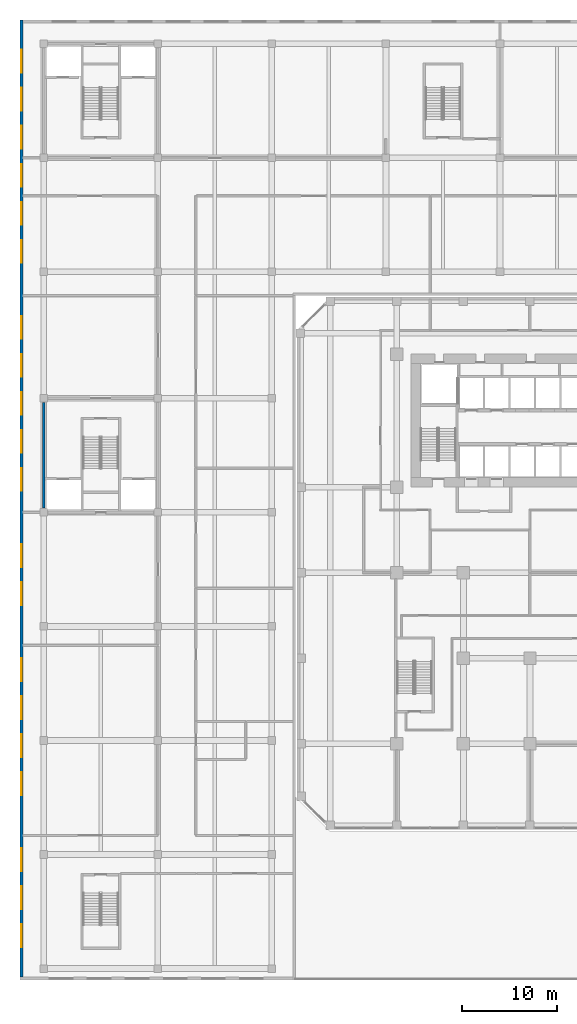
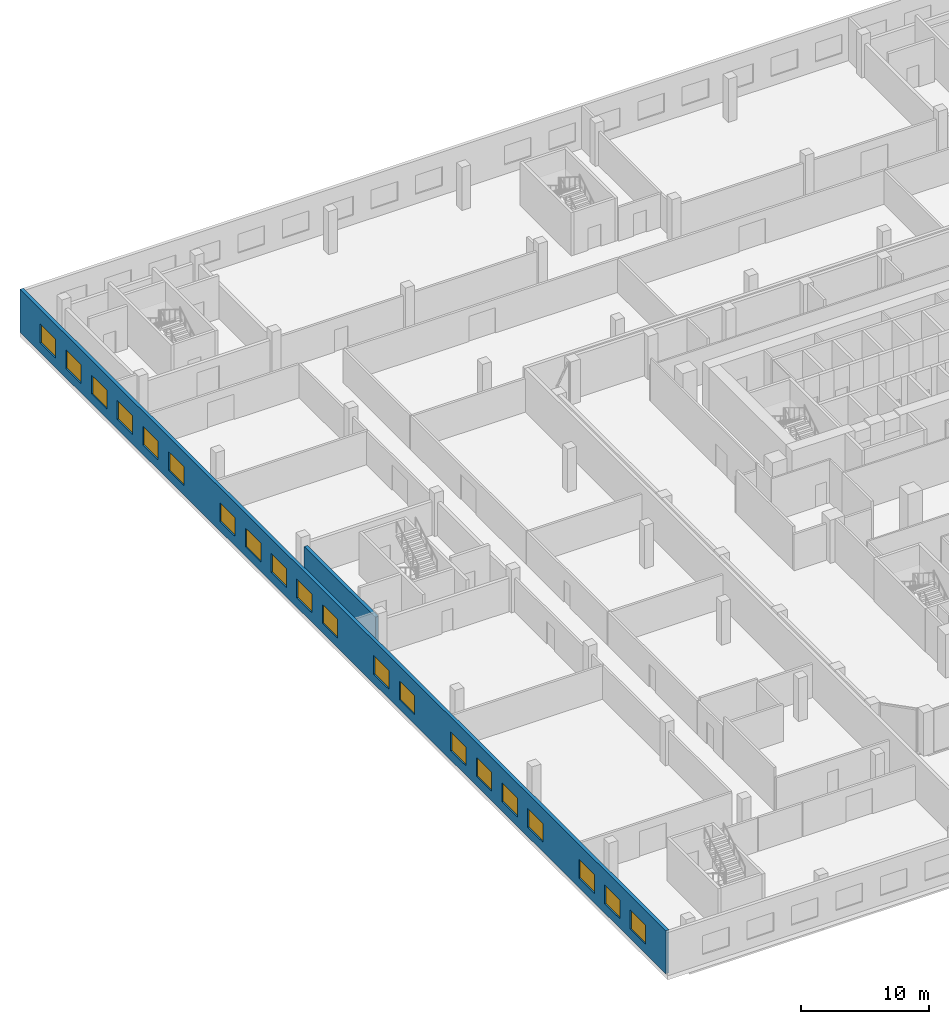
# One storey, part 19 of 38: 20 windows, 2 walls, 20 openings.
"""IFC4 building model written with IfcOpenShell, lengths in metres."""

from ifc_helpers import new_model, si_unit, direction, frame, frame_2d, origin, place, context, subcontext, project, spatial, rectangle, extrude, source, transform, mapped, material, layer, layer_set, type_object, element, fill, save


model = new_model("IFC4")

# Units and contexts
model_context = context("Model", 3, precision=1e-05, world=origin(), true_north=direction((0.0, 1.0)))
body_context = subcontext(model_context, "Body", "Model", "MODEL_VIEW")
ifc_project = project(units=[si_unit("LENGTHUNIT", "METRE"), si_unit("AREAUNIT", "SQUARE_METRE"), si_unit("VOLUMEUNIT", "CUBIC_METRE"), si_unit("PLANEANGLEUNIT", "RADIAN"), si_unit("MASSUNIT", "GRAM", prefix="KILO")], contexts=[model_context])

# Site, building, storey
site_placement = place(None, origin())
site = spatial("IfcSite", under=ifc_project, at=site_placement, CompositionType="ELEMENT")
building_placement = place(site_placement, origin())
building = spatial("IfcBuilding", under=site, at=building_placement, Name="Kilnfold Tower and Market Hall", CompositionType="ELEMENT")
storey_placement = place(building_placement, frame((0.0, 0.0, 9.0)))
storey = spatial("IfcBuildingStorey", under=building, at=storey_placement, Name="L01", CompositionType="ELEMENT", Elevation=9.0)

# Wall
ifc_material_1 = material(Name="Concrete C50/60", Category="concrete")
ifc_layer_1 = layer(ifc_material_1, 0.300048828125)
ifc_layer_set_1 = layer_set([ifc_layer_1], Name="Concrete C50/60")
wall_type_1 = type_object("IfcWallType", Name="HALL CORE WALL 300", PredefinedType="SHEAR", material=ifc_layer_set_1)
shared_shape_1 = source(origin(), body_context, "Body", "SweptSolid", [
    extrude(rectangle(XDim=11.099853515625, YDim=0.300048828125, at=frame_2d((5.5498046875, 0.0))), origin(), (0.0, 0.0, 1.0), 3.199951171875),
])
wall_1_placement = place(storey_placement, frame((-54.64990234375, 5.800048828125, 0.0), z_axis=(0.0, 0.0, 1.0), x_axis=(0.0, 1.0, 0.0)))
element("IfcWall", 1, at=wall_1_placement, inside=storey, type_object=wall_type_1, Name="Core wall MH1", PredefinedType="SHEAR", context=body_context, shape_type="MappedRepresentation", body=[
    mapped(shared_shape_1, transform((0.0, 0.0, 0.0))),
])

# Wall, openings, windows
ifc_material_2 = material(Name="Concrete blockwork", Category="masonry")
ifc_layer_2 = layer(ifc_material_2, 0.300048828125)
ifc_layer_set_2 = layer_set([ifc_layer_2], Name="Concrete blockwork")
wall_type_2 = type_object("IfcWallType", Name="HALL EXTERNAL WALL 300 EI 60", PredefinedType="SOLIDWALL", material=ifc_layer_set_2)
shared_shape_2 = source(origin(), body_context, "Body", "SweptSolid", [
    extrude(rectangle(XDim=100.699951171875, YDim=0.300048828125, at=frame_2d((50.35009765625, 0.0))), origin(), (0.0, 0.0, 1.0), 4.10009765625),
])
wall_2_placement = place(storey_placement, frame((-57.0, -43.550048828125, 0.0), z_axis=(0.0, 0.0, 1.0), x_axis=(0.0, 1.0, 0.0)))
wall_2 = element("IfcWall", 2, at=wall_2_placement, inside=storey, type_object=wall_type_2, Name="External wall MEW-L01.1", PredefinedType="SOLIDWALL", context=body_context, shape_type="MappedRepresentation", body=[
    mapped(shared_shape_2, transform((0.0, 0.0, 0.0))),
])
opening_1_placement = place(wall_2_placement, frame((3.14990234375, 0.0, 0.89990234375)))
opening_1 = element("IfcOpeningElement", 3, at=opening_1_placement, cuts=wall_2, Name="Opening MEN3", PredefinedType="OPENING", context=body_context, shape_type="SweptSolid", body=[
    extrude(rectangle(XDim=2.39990234375, YDim=1.800048828125, at=frame_2d((1.199951171875, 0.89990234375))), frame((0.0, 0.16015625, 0.0), z_axis=(0.0, -1.0, 0.0), x_axis=(1.0, 0.0, 0.0)), (0.0, 0.0, 1.0), 0.320068359375),
])
opening_2_placement = place(wall_2_placement, frame((7.14990234375, 0.0, 0.89990234375)))
opening_2 = element("IfcOpeningElement", 4, at=opening_2_placement, cuts=wall_2, Name="Opening MEN3", PredefinedType="OPENING", context=body_context, shape_type="SweptSolid", body=[
    extrude(rectangle(XDim=2.39990234375, YDim=1.800048828125, at=frame_2d((1.199951171875, 0.89990234375))), frame((0.0, 0.16015625, 0.0), z_axis=(0.0, -1.0, 0.0), x_axis=(1.0, 0.0, 0.0)), (0.0, 0.0, 1.0), 0.320068359375),
])
opening_3_placement = place(wall_2_placement, frame((11.14990234375, 0.0, 0.89990234375)))
opening_3 = element("IfcOpeningElement", 5, at=opening_3_placement, cuts=wall_2, Name="Opening MEN3", PredefinedType="OPENING", context=body_context, shape_type="SweptSolid", body=[
    extrude(rectangle(XDim=2.39990234375, YDim=1.800048828125, at=frame_2d((1.199951171875, 0.89990234375))), frame((0.0, 0.16015625, 0.0), z_axis=(0.0, -1.0, 0.0), x_axis=(1.0, 0.0, 0.0)), (0.0, 0.0, 1.0), 0.320068359375),
])
opening_4_placement = place(wall_2_placement, frame((19.14990234375, 0.0, 0.89990234375)))
opening_4 = element("IfcOpeningElement", 6, at=opening_4_placement, cuts=wall_2, Name="Opening MEN3", PredefinedType="OPENING", context=body_context, shape_type="SweptSolid", body=[
    extrude(rectangle(XDim=2.39990234375, YDim=1.800048828125, at=frame_2d((1.199951171875, 0.89990234375))), frame((0.0, 0.16015625, 0.0), z_axis=(0.0, -1.0, 0.0), x_axis=(1.0, 0.0, 0.0)), (0.0, 0.0, 1.0), 0.320068359375),
])
opening_5_placement = place(wall_2_placement, frame((23.14990234375, 0.0, 0.89990234375)))
opening_5 = element("IfcOpeningElement", 7, at=opening_5_placement, cuts=wall_2, Name="Opening MEN3", PredefinedType="OPENING", context=body_context, shape_type="SweptSolid", body=[
    extrude(rectangle(XDim=2.39990234375, YDim=1.800048828125, at=frame_2d((1.199951171875, 0.89990234375))), frame((0.0, 0.16015625, 0.0), z_axis=(0.0, -1.0, 0.0), x_axis=(1.0, 0.0, 0.0)), (0.0, 0.0, 1.0), 0.320068359375),
])
opening_6_placement = place(wall_2_placement, frame((27.14990234375, 0.0, 0.89990234375)))
opening_6 = element("IfcOpeningElement", 8, at=opening_6_placement, cuts=wall_2, Name="Opening MEN3", PredefinedType="OPENING", context=body_context, shape_type="SweptSolid", body=[
    extrude(rectangle(XDim=2.39990234375, YDim=1.800048828125, at=frame_2d((1.199951171875, 0.89990234375))), frame((0.0, 0.16015625, 0.0), z_axis=(0.0, -1.0, 0.0), x_axis=(1.0, 0.0, 0.0)), (0.0, 0.0, 1.0), 0.320068359375),
])
opening_7_placement = place(wall_2_placement, frame((31.14990234375, 0.0, 0.89990234375)))
opening_7 = element("IfcOpeningElement", 9, at=opening_7_placement, cuts=wall_2, Name="Opening MEN3", PredefinedType="OPENING", context=body_context, shape_type="SweptSolid", body=[
    extrude(rectangle(XDim=2.39990234375, YDim=1.800048828125, at=frame_2d((1.199951171875, 0.89990234375))), frame((0.0, 0.16015625, 0.0), z_axis=(0.0, -1.0, 0.0), x_axis=(1.0, 0.0, 0.0)), (0.0, 0.0, 1.0), 0.320068359375),
])
opening_8_placement = place(wall_2_placement, frame((39.14990234375, 0.0, 0.89990234375)))
opening_8 = element("IfcOpeningElement", 10, at=opening_8_placement, cuts=wall_2, Name="Opening MEN3", PredefinedType="OPENING", context=body_context, shape_type="SweptSolid", body=[
    extrude(rectangle(XDim=2.39990234375, YDim=1.800048828125, at=frame_2d((1.199951171875, 0.89990234375))), frame((0.0, 0.16015625, 0.0), z_axis=(0.0, -1.0, 0.0), x_axis=(1.0, 0.0, 0.0)), (0.0, 0.0, 1.0), 0.320068359375),
])
opening_9_placement = place(wall_2_placement, frame((43.14990234375, 0.0, 0.89990234375)))
opening_9 = element("IfcOpeningElement", 11, at=opening_9_placement, cuts=wall_2, Name="Opening MEN3", PredefinedType="OPENING", context=body_context, shape_type="SweptSolid", body=[
    extrude(rectangle(XDim=2.39990234375, YDim=1.800048828125, at=frame_2d((1.199951171875, 0.89990234375))), frame((0.0, 0.16015625, 0.0), z_axis=(0.0, -1.0, 0.0), x_axis=(1.0, 0.0, 0.0)), (0.0, 0.0, 1.0), 0.320068359375),
])
opening_10_placement = place(wall_2_placement, frame((51.14990234375, 0.0, 0.89990234375)))
opening_10 = element("IfcOpeningElement", 12, at=opening_10_placement, cuts=wall_2, Name="Opening MEN3", PredefinedType="OPENING", context=body_context, shape_type="SweptSolid", body=[
    extrude(rectangle(XDim=2.39990234375, YDim=1.800048828125, at=frame_2d((1.199951171875, 0.89990234375))), frame((0.0, 0.16015625, 0.0), z_axis=(0.0, -1.0, 0.0), x_axis=(1.0, 0.0, 0.0)), (0.0, 0.0, 1.0), 0.320068359375),
])
opening_11_placement = place(wall_2_placement, frame((55.14990234375, 0.0, 0.89990234375)))
opening_11 = element("IfcOpeningElement", 13, at=opening_11_placement, cuts=wall_2, Name="Opening MEN3", PredefinedType="OPENING", context=body_context, shape_type="SweptSolid", body=[
    extrude(rectangle(XDim=2.39990234375, YDim=1.800048828125, at=frame_2d((1.199951171875, 0.89990234375))), frame((0.0, 0.16015625, 0.0), z_axis=(0.0, -1.0, 0.0), x_axis=(1.0, 0.0, 0.0)), (0.0, 0.0, 1.0), 0.320068359375),
])
opening_12_placement = place(wall_2_placement, frame((59.14990234375, 0.0, 0.89990234375)))
opening_12 = element("IfcOpeningElement", 14, at=opening_12_placement, cuts=wall_2, Name="Opening MEN3", PredefinedType="OPENING", context=body_context, shape_type="SweptSolid", body=[
    extrude(rectangle(XDim=2.39990234375, YDim=1.800048828125, at=frame_2d((1.199951171875, 0.89990234375))), frame((0.0, 0.16015625, 0.0), z_axis=(0.0, -1.0, 0.0), x_axis=(1.0, 0.0, 0.0)), (0.0, 0.0, 1.0), 0.320068359375),
])
opening_13_placement = place(wall_2_placement, frame((63.14990234375, 0.0, 0.89990234375)))
opening_13 = element("IfcOpeningElement", 15, at=opening_13_placement, cuts=wall_2, Name="Opening MEN3", PredefinedType="OPENING", context=body_context, shape_type="SweptSolid", body=[
    extrude(rectangle(XDim=2.39990234375, YDim=1.800048828125, at=frame_2d((1.199951171875, 0.89990234375))), frame((0.0, 0.16015625, 0.0), z_axis=(0.0, -1.0, 0.0), x_axis=(1.0, 0.0, 0.0)), (0.0, 0.0, 1.0), 0.320068359375),
])
opening_14_placement = place(wall_2_placement, frame((67.14990234375, 0.0, 0.89990234375)))
opening_14 = element("IfcOpeningElement", 16, at=opening_14_placement, cuts=wall_2, Name="Opening MEN3", PredefinedType="OPENING", context=body_context, shape_type="SweptSolid", body=[
    extrude(rectangle(XDim=2.39990234375, YDim=1.800048828125, at=frame_2d((1.199951171875, 0.89990234375))), frame((0.0, 0.16015625, 0.0), z_axis=(0.0, -1.0, 0.0), x_axis=(1.0, 0.0, 0.0)), (0.0, 0.0, 1.0), 0.320068359375),
])
opening_15_placement = place(wall_2_placement, frame((75.14990234375, 0.0, 0.89990234375)))
opening_15 = element("IfcOpeningElement", 17, at=opening_15_placement, cuts=wall_2, Name="Opening MEN3", PredefinedType="OPENING", context=body_context, shape_type="SweptSolid", body=[
    extrude(rectangle(XDim=2.39990234375, YDim=1.800048828125, at=frame_2d((1.199951171875, 0.89990234375))), frame((0.0, 0.16015625, 0.0), z_axis=(0.0, -1.0, 0.0), x_axis=(1.0, 0.0, 0.0)), (0.0, 0.0, 1.0), 0.320068359375),
])
opening_16_placement = place(wall_2_placement, frame((79.14990234375, 0.0, 0.89990234375)))
opening_16 = element("IfcOpeningElement", 18, at=opening_16_placement, cuts=wall_2, Name="Opening MEN3", PredefinedType="OPENING", context=body_context, shape_type="SweptSolid", body=[
    extrude(rectangle(XDim=2.39990234375, YDim=1.800048828125, at=frame_2d((1.199951171875, 0.89990234375))), frame((0.0, 0.16015625, 0.0), z_axis=(0.0, -1.0, 0.0), x_axis=(1.0, 0.0, 0.0)), (0.0, 0.0, 1.0), 0.320068359375),
])
opening_17_placement = place(wall_2_placement, frame((83.14990234375, 0.0, 0.89990234375)))
opening_17 = element("IfcOpeningElement", 19, at=opening_17_placement, cuts=wall_2, Name="Opening MEN3", PredefinedType="OPENING", context=body_context, shape_type="SweptSolid", body=[
    extrude(rectangle(XDim=2.39990234375, YDim=1.800048828125, at=frame_2d((1.199951171875, 0.89990234375))), frame((0.0, 0.16015625, 0.0), z_axis=(0.0, -1.0, 0.0), x_axis=(1.0, 0.0, 0.0)), (0.0, 0.0, 1.0), 0.320068359375),
])
opening_18_placement = place(wall_2_placement, frame((87.14990234375, 0.0, 0.89990234375)))
opening_18 = element("IfcOpeningElement", 20, at=opening_18_placement, cuts=wall_2, Name="Opening MEN3", PredefinedType="OPENING", context=body_context, shape_type="SweptSolid", body=[
    extrude(rectangle(XDim=2.39990234375, YDim=1.800048828125, at=frame_2d((1.199951171875, 0.89990234375))), frame((0.0, 0.16015625, 0.0), z_axis=(0.0, -1.0, 0.0), x_axis=(1.0, 0.0, 0.0)), (0.0, 0.0, 1.0), 0.320068359375),
])
opening_19_placement = place(wall_2_placement, frame((91.14990234375, 0.0, 0.89990234375)))
opening_19 = element("IfcOpeningElement", 21, at=opening_19_placement, cuts=wall_2, Name="Opening MEN3", PredefinedType="OPENING", context=body_context, shape_type="SweptSolid", body=[
    extrude(rectangle(XDim=2.39990234375, YDim=1.800048828125, at=frame_2d((1.199951171875, 0.89990234375))), frame((0.0, 0.16015625, 0.0), z_axis=(0.0, -1.0, 0.0), x_axis=(1.0, 0.0, 0.0)), (0.0, 0.0, 1.0), 0.320068359375),
])
opening_20_placement = place(wall_2_placement, frame((95.14990234375, 0.0, 0.89990234375)))
opening_20 = element("IfcOpeningElement", 22, at=opening_20_placement, cuts=wall_2, Name="Opening MEN3", PredefinedType="OPENING", context=body_context, shape_type="SweptSolid", body=[
    extrude(rectangle(XDim=2.39990234375, YDim=1.800048828125, at=frame_2d((1.199951171875, 0.89990234375))), frame((0.0, 0.16015625, 0.0), z_axis=(0.0, -1.0, 0.0), x_axis=(1.0, 0.0, 0.0)), (0.0, 0.0, 1.0), 0.320068359375),
])
ifc_material_3 = material(Name="Aluminium glazing", Category="aluminium")
window_type = type_object("IfcWindowType", Name="HALL WINDOW 2400X1800", PartitioningType="SINGLE_PANEL", PredefinedType="WINDOW", material=ifc_material_3)
window_1_placement = place(opening_1_placement, origin())
window_1 = element("IfcWindow", 23, at=window_1_placement, inside=storey, type_object=window_type, Name="Window upper", OverallHeight=1.800048828125, OverallWidth=2.39990234375, PartitioningType="SINGLE_PANEL", PredefinedType="WINDOW", context=body_context, shape_type="SweptSolid", body=[
    extrude(rectangle(XDim=2.39990234375, YDim=1.800048828125, at=frame_2d((1.199951171875, 0.89990234375))), frame((0.0, 0.030029296875, 0.0), z_axis=(0.0, -1.0, 0.0), x_axis=(1.0, 0.0, 0.0)), (0.0, 0.0, 1.0), 0.06005859375),
])
fill(opening_1, window_1)
window_2_placement = place(opening_2_placement, origin())
window_2 = element("IfcWindow", 24, at=window_2_placement, inside=storey, type_object=window_type, Name="Window upper", OverallHeight=1.800048828125, OverallWidth=2.39990234375, PartitioningType="SINGLE_PANEL", PredefinedType="WINDOW", context=body_context, shape_type="SweptSolid", body=[
    extrude(rectangle(XDim=2.39990234375, YDim=1.800048828125, at=frame_2d((1.199951171875, 0.89990234375))), frame((0.0, 0.030029296875, 0.0), z_axis=(0.0, -1.0, 0.0), x_axis=(1.0, 0.0, 0.0)), (0.0, 0.0, 1.0), 0.06005859375),
])
fill(opening_2, window_2)
window_3_placement = place(opening_3_placement, origin())
window_3 = element("IfcWindow", 25, at=window_3_placement, inside=storey, type_object=window_type, Name="Window upper", OverallHeight=1.800048828125, OverallWidth=2.39990234375, PartitioningType="SINGLE_PANEL", PredefinedType="WINDOW", context=body_context, shape_type="SweptSolid", body=[
    extrude(rectangle(XDim=2.39990234375, YDim=1.800048828125, at=frame_2d((1.199951171875, 0.89990234375))), frame((0.0, 0.030029296875, 0.0), z_axis=(0.0, -1.0, 0.0), x_axis=(1.0, 0.0, 0.0)), (0.0, 0.0, 1.0), 0.06005859375),
])
fill(opening_3, window_3)
window_4_placement = place(opening_4_placement, origin())
window_4 = element("IfcWindow", 26, at=window_4_placement, inside=storey, type_object=window_type, Name="Window upper", OverallHeight=1.800048828125, OverallWidth=2.39990234375, PartitioningType="SINGLE_PANEL", PredefinedType="WINDOW", context=body_context, shape_type="SweptSolid", body=[
    extrude(rectangle(XDim=2.39990234375, YDim=1.800048828125, at=frame_2d((1.199951171875, 0.89990234375))), frame((0.0, 0.030029296875, 0.0), z_axis=(0.0, -1.0, 0.0), x_axis=(1.0, 0.0, 0.0)), (0.0, 0.0, 1.0), 0.06005859375),
])
fill(opening_4, window_4)
window_5_placement = place(opening_5_placement, origin())
window_5 = element("IfcWindow", 27, at=window_5_placement, inside=storey, type_object=window_type, Name="Window upper", OverallHeight=1.800048828125, OverallWidth=2.39990234375, PartitioningType="SINGLE_PANEL", PredefinedType="WINDOW", context=body_context, shape_type="SweptSolid", body=[
    extrude(rectangle(XDim=2.39990234375, YDim=1.800048828125, at=frame_2d((1.199951171875, 0.89990234375))), frame((0.0, 0.030029296875, 0.0), z_axis=(0.0, -1.0, 0.0), x_axis=(1.0, 0.0, 0.0)), (0.0, 0.0, 1.0), 0.06005859375),
])
fill(opening_5, window_5)
window_6_placement = place(opening_6_placement, origin())
window_6 = element("IfcWindow", 28, at=window_6_placement, inside=storey, type_object=window_type, Name="Window upper", OverallHeight=1.800048828125, OverallWidth=2.39990234375, PartitioningType="SINGLE_PANEL", PredefinedType="WINDOW", context=body_context, shape_type="SweptSolid", body=[
    extrude(rectangle(XDim=2.39990234375, YDim=1.800048828125, at=frame_2d((1.199951171875, 0.89990234375))), frame((0.0, 0.030029296875, 0.0), z_axis=(0.0, -1.0, 0.0), x_axis=(1.0, 0.0, 0.0)), (0.0, 0.0, 1.0), 0.06005859375),
])
fill(opening_6, window_6)
window_7_placement = place(opening_7_placement, origin())
window_7 = element("IfcWindow", 29, at=window_7_placement, inside=storey, type_object=window_type, Name="Window upper", OverallHeight=1.800048828125, OverallWidth=2.39990234375, PartitioningType="SINGLE_PANEL", PredefinedType="WINDOW", context=body_context, shape_type="SweptSolid", body=[
    extrude(rectangle(XDim=2.39990234375, YDim=1.800048828125, at=frame_2d((1.199951171875, 0.89990234375))), frame((0.0, 0.030029296875, 0.0), z_axis=(0.0, -1.0, 0.0), x_axis=(1.0, 0.0, 0.0)), (0.0, 0.0, 1.0), 0.06005859375),
])
fill(opening_7, window_7)
window_8_placement = place(opening_8_placement, origin())
window_8 = element("IfcWindow", 30, at=window_8_placement, inside=storey, type_object=window_type, Name="Window upper", OverallHeight=1.800048828125, OverallWidth=2.39990234375, PartitioningType="SINGLE_PANEL", PredefinedType="WINDOW", context=body_context, shape_type="SweptSolid", body=[
    extrude(rectangle(XDim=2.39990234375, YDim=1.800048828125, at=frame_2d((1.199951171875, 0.89990234375))), frame((0.0, 0.030029296875, 0.0), z_axis=(0.0, -1.0, 0.0), x_axis=(1.0, 0.0, 0.0)), (0.0, 0.0, 1.0), 0.06005859375),
])
fill(opening_8, window_8)
window_9_placement = place(opening_9_placement, origin())
window_9 = element("IfcWindow", 31, at=window_9_placement, inside=storey, type_object=window_type, Name="Window upper", OverallHeight=1.800048828125, OverallWidth=2.39990234375, PartitioningType="SINGLE_PANEL", PredefinedType="WINDOW", context=body_context, shape_type="SweptSolid", body=[
    extrude(rectangle(XDim=2.39990234375, YDim=1.800048828125, at=frame_2d((1.199951171875, 0.89990234375))), frame((0.0, 0.030029296875, 0.0), z_axis=(0.0, -1.0, 0.0), x_axis=(1.0, 0.0, 0.0)), (0.0, 0.0, 1.0), 0.06005859375),
])
fill(opening_9, window_9)
window_10_placement = place(opening_10_placement, origin())
window_10 = element("IfcWindow", 32, at=window_10_placement, inside=storey, type_object=window_type, Name="Window upper", OverallHeight=1.800048828125, OverallWidth=2.39990234375, PartitioningType="SINGLE_PANEL", PredefinedType="WINDOW", context=body_context, shape_type="SweptSolid", body=[
    extrude(rectangle(XDim=2.39990234375, YDim=1.800048828125, at=frame_2d((1.199951171875, 0.89990234375))), frame((0.0, 0.030029296875, 0.0), z_axis=(0.0, -1.0, 0.0), x_axis=(1.0, 0.0, 0.0)), (0.0, 0.0, 1.0), 0.06005859375),
])
fill(opening_10, window_10)
window_11_placement = place(opening_11_placement, origin())
window_11 = element("IfcWindow", 33, at=window_11_placement, inside=storey, type_object=window_type, Name="Window upper", OverallHeight=1.800048828125, OverallWidth=2.39990234375, PartitioningType="SINGLE_PANEL", PredefinedType="WINDOW", context=body_context, shape_type="SweptSolid", body=[
    extrude(rectangle(XDim=2.39990234375, YDim=1.800048828125, at=frame_2d((1.199951171875, 0.89990234375))), frame((0.0, 0.030029296875, 0.0), z_axis=(0.0, -1.0, 0.0), x_axis=(1.0, 0.0, 0.0)), (0.0, 0.0, 1.0), 0.06005859375),
])
fill(opening_11, window_11)
window_12_placement = place(opening_12_placement, origin())
window_12 = element("IfcWindow", 34, at=window_12_placement, inside=storey, type_object=window_type, Name="Window upper", OverallHeight=1.800048828125, OverallWidth=2.39990234375, PartitioningType="SINGLE_PANEL", PredefinedType="WINDOW", context=body_context, shape_type="SweptSolid", body=[
    extrude(rectangle(XDim=2.39990234375, YDim=1.800048828125, at=frame_2d((1.199951171875, 0.89990234375))), frame((0.0, 0.030029296875, 0.0), z_axis=(0.0, -1.0, 0.0), x_axis=(1.0, 0.0, 0.0)), (0.0, 0.0, 1.0), 0.06005859375),
])
fill(opening_12, window_12)
window_13_placement = place(opening_13_placement, origin())
window_13 = element("IfcWindow", 35, at=window_13_placement, inside=storey, type_object=window_type, Name="Window upper", OverallHeight=1.800048828125, OverallWidth=2.39990234375, PartitioningType="SINGLE_PANEL", PredefinedType="WINDOW", context=body_context, shape_type="SweptSolid", body=[
    extrude(rectangle(XDim=2.39990234375, YDim=1.800048828125, at=frame_2d((1.199951171875, 0.89990234375))), frame((0.0, 0.030029296875, 0.0), z_axis=(0.0, -1.0, 0.0), x_axis=(1.0, 0.0, 0.0)), (0.0, 0.0, 1.0), 0.06005859375),
])
fill(opening_13, window_13)
window_14_placement = place(opening_14_placement, origin())
window_14 = element("IfcWindow", 36, at=window_14_placement, inside=storey, type_object=window_type, Name="Window upper", OverallHeight=1.800048828125, OverallWidth=2.39990234375, PartitioningType="SINGLE_PANEL", PredefinedType="WINDOW", context=body_context, shape_type="SweptSolid", body=[
    extrude(rectangle(XDim=2.39990234375, YDim=1.800048828125, at=frame_2d((1.199951171875, 0.89990234375))), frame((0.0, 0.030029296875, 0.0), z_axis=(0.0, -1.0, 0.0), x_axis=(1.0, 0.0, 0.0)), (0.0, 0.0, 1.0), 0.06005859375),
])
fill(opening_14, window_14)
window_15_placement = place(opening_15_placement, origin())
window_15 = element("IfcWindow", 37, at=window_15_placement, inside=storey, type_object=window_type, Name="Window upper", OverallHeight=1.800048828125, OverallWidth=2.39990234375, PartitioningType="SINGLE_PANEL", PredefinedType="WINDOW", context=body_context, shape_type="SweptSolid", body=[
    extrude(rectangle(XDim=2.39990234375, YDim=1.800048828125, at=frame_2d((1.199951171875, 0.89990234375))), frame((0.0, 0.030029296875, 0.0), z_axis=(0.0, -1.0, 0.0), x_axis=(1.0, 0.0, 0.0)), (0.0, 0.0, 1.0), 0.06005859375),
])
fill(opening_15, window_15)
window_16_placement = place(opening_16_placement, origin())
window_16 = element("IfcWindow", 38, at=window_16_placement, inside=storey, type_object=window_type, Name="Window upper", OverallHeight=1.800048828125, OverallWidth=2.39990234375, PartitioningType="SINGLE_PANEL", PredefinedType="WINDOW", context=body_context, shape_type="SweptSolid", body=[
    extrude(rectangle(XDim=2.39990234375, YDim=1.800048828125, at=frame_2d((1.199951171875, 0.89990234375))), frame((0.0, 0.030029296875, 0.0), z_axis=(0.0, -1.0, 0.0), x_axis=(1.0, 0.0, 0.0)), (0.0, 0.0, 1.0), 0.06005859375),
])
fill(opening_16, window_16)
window_17_placement = place(opening_17_placement, origin())
window_17 = element("IfcWindow", 39, at=window_17_placement, inside=storey, type_object=window_type, Name="Window upper", OverallHeight=1.800048828125, OverallWidth=2.39990234375, PartitioningType="SINGLE_PANEL", PredefinedType="WINDOW", context=body_context, shape_type="SweptSolid", body=[
    extrude(rectangle(XDim=2.39990234375, YDim=1.800048828125, at=frame_2d((1.199951171875, 0.89990234375))), frame((0.0, 0.030029296875, 0.0), z_axis=(0.0, -1.0, 0.0), x_axis=(1.0, 0.0, 0.0)), (0.0, 0.0, 1.0), 0.06005859375),
])
fill(opening_17, window_17)
window_18_placement = place(opening_18_placement, origin())
window_18 = element("IfcWindow", 40, at=window_18_placement, inside=storey, type_object=window_type, Name="Window upper", OverallHeight=1.800048828125, OverallWidth=2.39990234375, PartitioningType="SINGLE_PANEL", PredefinedType="WINDOW", context=body_context, shape_type="SweptSolid", body=[
    extrude(rectangle(XDim=2.39990234375, YDim=1.800048828125, at=frame_2d((1.199951171875, 0.89990234375))), frame((0.0, 0.030029296875, 0.0), z_axis=(0.0, -1.0, 0.0), x_axis=(1.0, 0.0, 0.0)), (0.0, 0.0, 1.0), 0.06005859375),
])
fill(opening_18, window_18)
window_19_placement = place(opening_19_placement, origin())
window_19 = element("IfcWindow", 41, at=window_19_placement, inside=storey, type_object=window_type, Name="Window upper", OverallHeight=1.800048828125, OverallWidth=2.39990234375, PartitioningType="SINGLE_PANEL", PredefinedType="WINDOW", context=body_context, shape_type="SweptSolid", body=[
    extrude(rectangle(XDim=2.39990234375, YDim=1.800048828125, at=frame_2d((1.199951171875, 0.89990234375))), frame((0.0, 0.030029296875, 0.0), z_axis=(0.0, -1.0, 0.0), x_axis=(1.0, 0.0, 0.0)), (0.0, 0.0, 1.0), 0.06005859375),
])
fill(opening_19, window_19)
window_20_placement = place(opening_20_placement, origin())
window_20 = element("IfcWindow", 42, at=window_20_placement, inside=storey, type_object=window_type, Name="Window upper", OverallHeight=1.800048828125, OverallWidth=2.39990234375, PartitioningType="SINGLE_PANEL", PredefinedType="WINDOW", context=body_context, shape_type="SweptSolid", body=[
    extrude(rectangle(XDim=2.39990234375, YDim=1.800048828125, at=frame_2d((1.199951171875, 0.89990234375))), frame((0.0, 0.030029296875, 0.0), z_axis=(0.0, -1.0, 0.0), x_axis=(1.0, 0.0, 0.0)), (0.0, 0.0, 1.0), 0.06005859375),
])
fill(opening_20, window_20)

save(model, "model.ifc")
